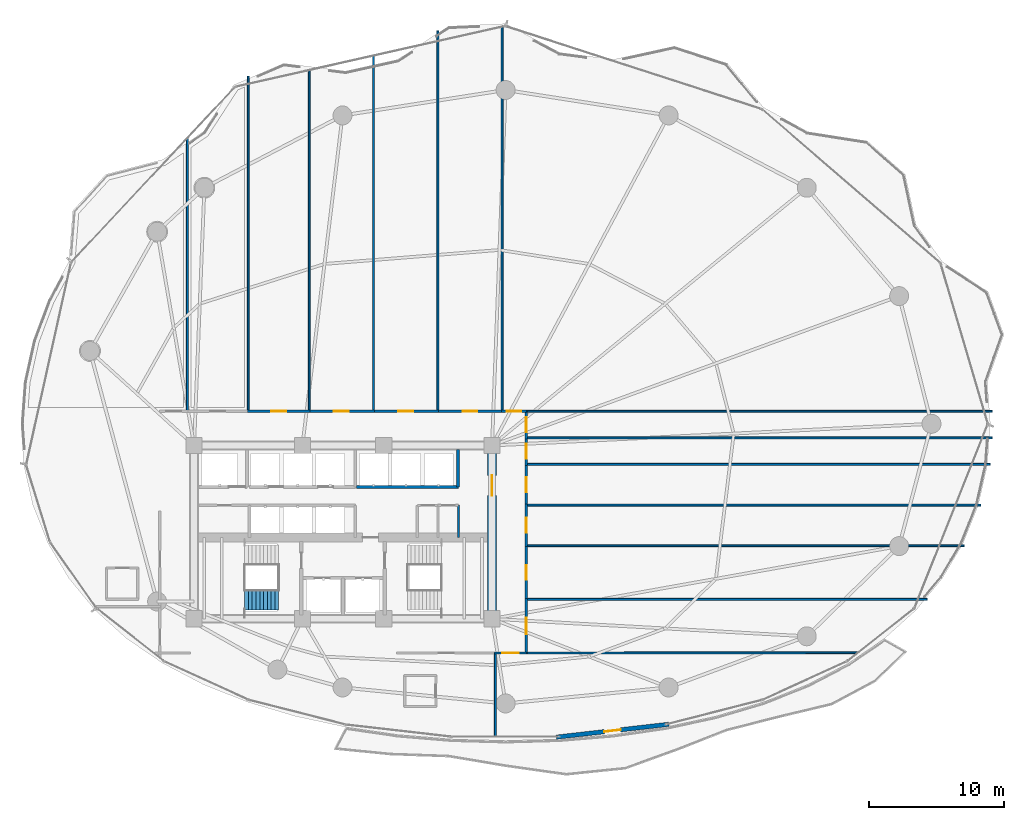
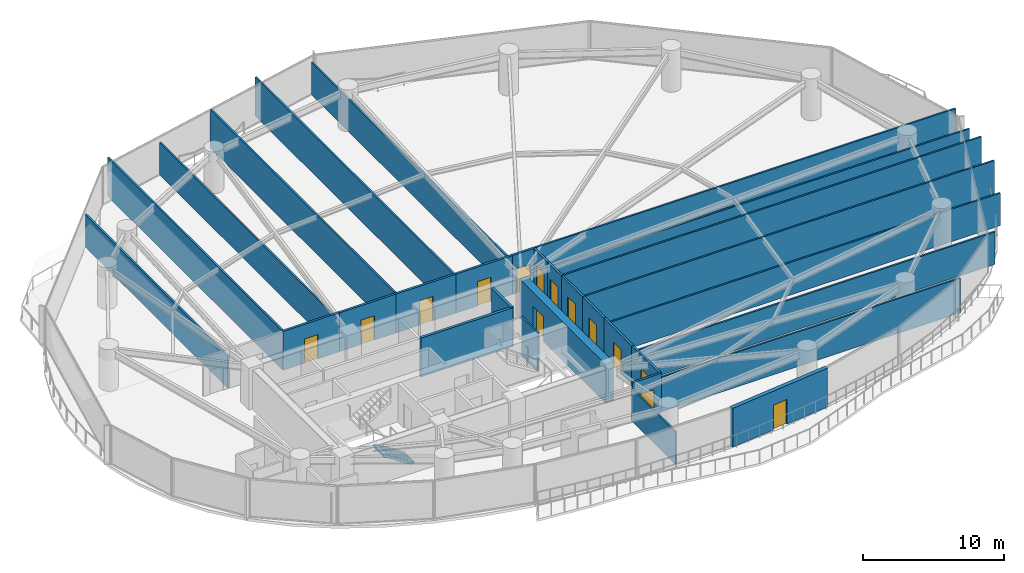
# One storey, part 27 of 33: 31 walls, 14 doors, 1 stair flight, 14 openings, 1 element without a shape of its own.
"""IFC4 building model written with IfcOpenShell, lengths in metres."""

from ifc_helpers import new_model, si_unit, direction, frame, frame_2d, origin, place, context, subcontext, project, spatial, polyline, rectangle, outline, extrude, material, layer, layer_set, type_object, element, fill, aggregate, save


model = new_model("IFC4")

# Units and contexts
model_context = context("Model", 3, precision=1e-05, world=origin(), true_north=direction((0.0, 1.0)))
body_context = subcontext(model_context, "Body", "Model", "MODEL_VIEW")
ifc_project = project(units=[si_unit("LENGTHUNIT", "METRE"), si_unit("AREAUNIT", "SQUARE_METRE"), si_unit("VOLUMEUNIT", "CUBIC_METRE"), si_unit("PLANEANGLEUNIT", "RADIAN"), si_unit("MASSUNIT", "GRAM", prefix="KILO")], contexts=[model_context])

# Site, building, storey
site_placement = place(None, origin())
site = spatial("IfcSite", under=ifc_project, at=site_placement, CompositionType="ELEMENT")
building_placement = place(site_placement, origin())
building = spatial("IfcBuilding", under=site, at=building_placement, Name="Kazevale Care Tower and Concert Hall", CompositionType="ELEMENT")
storey_placement = place(building_placement, frame((0.0, 0.0, 49.199951171875)))
storey = spatial("IfcBuildingStorey", under=building, at=storey_placement, Name="L12", CompositionType="ELEMENT", Elevation=49.199951171875)

# Walls
ifc_material_1 = material(Name="Acoustic Gypsum on Steel Stud", Category="steel")
ifc_layer_1 = layer(ifc_material_1, 0.139892578125)
ifc_layer_set_1 = layer_set([ifc_layer_1], Name="Acoustic Gypsum on Steel Stud")
wall_type_1 = type_object("IfcWallType", Name="Acoustic Care & Suite Partition 140", PredefinedType="PARTITIONING", material=ifc_layer_set_1)
wall_1_placement = place(storey_placement, frame((41.52001953125, 29.6201171875, 0.0), z_axis=(0.0, 0.0, 1.0), x_axis=(0.0, 1.0, 0.0)))
element("IfcWall", 1, at=wall_1_placement, inside=storey, type_object=wall_type_1, Name="wall:L12:ka_ee", PredefinedType="PARTITIONING", context=body_context, shape_type="SweptSolid", body=[
    extrude(rectangle(XDim=2.35986328125, YDim=0.139892578125, at=frame_2d((1.179931640625, 0.0))), origin(), (0.0, 0.0, 1.0), 3.360107421875),
])
wall_2_placement = place(storey_placement, frame((21.5, 59.085205078125, 0.0), z_axis=(0.0, 0.0, 1.0), x_axis=(0.0, -1.0, 0.0)))
element("IfcWall", 2, at=wall_2_placement, inside=storey, type_object=wall_type_1, Name="wall:L12:auto_019", PredefinedType="PARTITIONING", context=body_context, shape_type="SweptSolid", body=[
    extrude(rectangle(XDim=20.190185546875, YDim=0.139892578125, at=frame_2d((10.09521484375, 0.0))), origin(), (0.0, 0.0, 1.0), 2.80615234375),
])
wall_3_placement = place(storey_placement, frame((26.0, 63.674072265625, 0.0), z_axis=(0.0, 0.0, 1.0), x_axis=(0.0, -1.0, 0.0)))
element("IfcWall", 3, at=wall_3_placement, inside=storey, type_object=wall_type_1, Name="wall:L12:auto_020", PredefinedType="PARTITIONING", context=body_context, shape_type="SweptSolid", body=[
    extrude(rectangle(XDim=24.779052734375, YDim=0.139892578125, at=frame_2d((12.3896484375, 0.0))), origin(), (0.0, 0.0, 1.0), 3.360107421875),
])
wall_4_placement = place(storey_placement, frame((30.5, 64.098388671875, 0.0), z_axis=(0.0, 0.0, 1.0), x_axis=(0.0, -1.0, 0.0)))
element("IfcWall", 4, at=wall_4_placement, inside=storey, type_object=wall_type_1, Name="wall:L12:auto_021", PredefinedType="PARTITIONING", context=body_context, shape_type="SweptSolid", body=[
    extrude(rectangle(XDim=25.203369140625, YDim=0.139892578125, at=frame_2d((12.6015625, 0.0))), origin(), (0.0, 0.0, 1.0), 2.80615234375),
])
wall_5_placement = place(storey_placement, frame((35.25, 65.169189453125, 0.0), z_axis=(0.0, 0.0, 1.0), x_axis=(0.0, -1.0, 0.0)))
element("IfcWall", 5, at=wall_5_placement, inside=storey, type_object=wall_type_1, Name="wall:L12:auto_022", PredefinedType="PARTITIONING", context=body_context, shape_type="SweptSolid", body=[
    extrude(rectangle(XDim=26.274169921875, YDim=0.139892578125, at=frame_2d((13.13720703125, 0.0))), origin(), (0.0, 0.0, 1.0), 3.360107421875),
])
wall_6_placement = place(storey_placement, frame((40.0, 67.02099609375, 0.0), z_axis=(0.0, 0.0, 1.0), x_axis=(0.0, -1.0, 0.0)))
element("IfcWall", 6, at=wall_6_placement, inside=storey, type_object=wall_type_1, Name="wall:L12:auto_023", PredefinedType="PARTITIONING", context=body_context, shape_type="SweptSolid", body=[
    extrude(rectangle(XDim=28.1259765625, YDim=0.139892578125, at=frame_2d((14.06298828125, 0.0))), origin(), (0.0, 0.0, 1.0), 3.360107421875),
])
wall_7_placement = place(storey_placement, frame((44.75, 67.310791015625, 0.0), z_axis=(0.0, 0.0, 1.0), x_axis=(0.0, -1.0, 0.0)))
element("IfcWall", 7, at=wall_7_placement, inside=storey, type_object=wall_type_1, Name="wall:L12:auto_024", PredefinedType="PARTITIONING", context=body_context, shape_type="SweptSolid", body=[
    extrude(rectangle(XDim=28.415771484375, YDim=0.139892578125, at=frame_2d((14.2080078125, 0.0))), origin(), (0.0, 0.0, 1.0), 2.80615234375),
])
wall_8_placement = place(storey_placement, frame((80.931884765625, 38.925048828125, 0.0), z_axis=(0.0, 0.0, 1.0), x_axis=(-1.0, 0.0, 0.0)))
element("IfcWall", 8, at=wall_8_placement, inside=storey, type_object=wall_type_1, Name="wall:L12:auto_025", PredefinedType="PARTITIONING", context=body_context, shape_type="SweptSolid", body=[
    extrude(rectangle(XDim=34.471923828125, YDim=0.139892578125, at=frame_2d((17.23583984375, 0.0))), origin(), (0.0, 0.0, 1.0), 3.360107421875),
])
wall_9_placement = place(storey_placement, frame((46.4951171875, 25.0400390625, 0.0), z_axis=(0.0, 0.0, 1.0), x_axis=(1.0, 0.0, 0.0)))
element("IfcWall", 9, at=wall_9_placement, inside=storey, type_object=wall_type_1, Name="wall:L12:auto_026", PredefinedType="PARTITIONING", context=body_context, shape_type="SweptSolid", body=[
    extrude(rectangle(XDim=29.625, YDim=0.139892578125, at=frame_2d((14.8125, 0.0))), origin(), (0.0, 0.0, 1.0), 2.80615234375),
])
wall_10_placement = place(storey_placement, frame((71.0107421875, 21.094482421875, 0.0), z_axis=(0.0, 0.0, 1.0), x_axis=(-0.999999682646, -0.000796685534, 0.0)))
element("IfcWall", 10, at=wall_10_placement, inside=storey, type_object=wall_type_1, Name="wall:L12:auto_027", PredefinedType="PARTITIONING", context=body_context, shape_type="SweptSolid", body=[
    extrude(rectangle(XDim=24.515625, YDim=0.139892578125, at=frame_2d((12.2578125, 0.0))), origin(), (0.0, 0.0, 1.0), 2.99609375),
])
wall_11_placement = place(storey_placement, frame((46.4951171875, 29.0, 0.0), z_axis=(0.0, 0.0, 1.0), x_axis=(1.0, 0.0, 0.0)))
element("IfcWall", 11, at=wall_11_placement, inside=storey, type_object=wall_type_1, Name="wall:L12:auto_028", PredefinedType="PARTITIONING", context=body_context, shape_type="SweptSolid", body=[
    extrude(rectangle(XDim=32.36083984375, YDim=0.139892578125, at=frame_2d((16.180419921875, 0.0))), origin(), (0.0, 0.0, 1.0), 2.80615234375),
])
wall_12_placement = place(storey_placement, frame((46.4951171875, 32.0, 0.0), z_axis=(0.0, 0.0, 1.0), x_axis=(1.0, 0.0, 0.0)))
element("IfcWall", 12, at=wall_12_placement, inside=storey, type_object=wall_type_1, Name="wall:L12:auto_029", PredefinedType="PARTITIONING", context=body_context, shape_type="SweptSolid", body=[
    extrude(rectangle(XDim=33.60498046875, YDim=0.139892578125, at=frame_2d((16.802490234375, 0.0))), origin(), (0.0, 0.0, 1.0), 3.360107421875),
])
wall_13_placement = place(storey_placement, frame((46.4951171875, 35.0, 0.0), z_axis=(0.0, 0.0, 1.0), x_axis=(1.0, 0.0, 0.0)))
element("IfcWall", 13, at=wall_13_placement, inside=storey, type_object=wall_type_1, Name="wall:L12:auto_030", PredefinedType="PARTITIONING", context=body_context, shape_type="SweptSolid", body=[
    extrude(rectangle(XDim=34.283935546875, YDim=0.139892578125, at=frame_2d((17.14208984375, 0.0))), origin(), (0.0, 0.0, 1.0), 3.360107421875),
])
wall_14_placement = place(storey_placement, frame((46.4951171875, 36.9599609375, 0.0), z_axis=(0.0, 0.0, 1.0), x_axis=(1.0, 0.0, 0.0)))
element("IfcWall", 14, at=wall_14_placement, inside=storey, type_object=wall_type_1, Name="wall:L12:auto_031", PredefinedType="PARTITIONING", context=body_context, shape_type="SweptSolid", body=[
    extrude(rectangle(XDim=34.427978515625, YDim=0.139892578125, at=frame_2d((17.2138671875, 0.0))), origin(), (0.0, 0.0, 1.0), 2.80615234375),
])
wall_15_placement = place(storey_placement, frame((44.25, 21.10498046875, 0.0), z_axis=(0.0, 0.0, 1.0), x_axis=(0.0, -1.0, 0.0)))
element("IfcWall", 15, at=wall_15_placement, inside=storey, type_object=wall_type_1, Name="wall:L12:auto_032", PredefinedType="PARTITIONING", context=body_context, shape_type="SweptSolid", body=[
    extrude(rectangle(XDim=6.205078125, YDim=0.139892578125, at=frame_2d((3.1025390625, 0.0))), origin(), (0.0, 0.0, 1.0), 2.80615234375),
])

# Wall, opening, door
ifc_material_2 = material(Name="Concrete C70", Category="concrete")
ifc_layer_2 = layer(ifc_material_2, 0.64990234375)
ifc_layer_set_2 = layer_set([ifc_layer_2], Name="Concrete C70")
wall_type_2 = type_object("IfcWallType", Name="Core Shear Wall 650 C70", PredefinedType="SHEAR", material=ifc_layer_set_2)
wall_16_placement = place(storey_placement, frame((44.0, 23.925048828125, 0.0), z_axis=(0.0, 0.0, 1.0), x_axis=(0.0, 1.0, 0.0)))
wall_16 = element("IfcWall", 16, at=wall_16_placement, inside=storey, type_object=wall_type_2, Name="wall:L12:core:E", PredefinedType="SHEAR", context=body_context, shape_type="SweptSolid", body=[
    extrude(rectangle(XDim=12.14990234375, YDim=0.64990234375, at=frame_2d((6.074951171875, 0.0))), origin(), (0.0, 0.0, 1.0), 3.360107421875),
])
opening_1_placement = place(wall_16_placement, frame((8.77490234375, 0.0, 0.0)))
opening_1 = element("IfcOpeningElement", 17, at=opening_1_placement, cuts=wall_16, Name="Opening FD-60D", PredefinedType="OPENING", context=body_context, shape_type="SweptSolid", body=[
    extrude(rectangle(XDim=1.5, YDim=2.14990234375, at=frame_2d((0.75, 1.074951171875))), frame((0.0, 0.3349609375, 0.0), z_axis=(0.0, -1.0, 0.0), x_axis=(1.0, 0.0, 0.0)), (0.0, 0.0, 1.0), 0.669921875),
])
ifc_material_3 = material(Name="Oak Timber Fire Leaf", Category="wood")
door_type_1 = type_object("IfcDoorType", Name="Double Lobby & Auditorium Fire Door 1500x2150", OperationType="NOTDEFINED", PredefinedType="DOOR", material=ifc_material_3)
door_1_placement = place(opening_1_placement, origin())
door_1 = element("IfcDoor", 18, at=door_1_placement, inside=storey, type_object=door_type_1, Name="door:L12:core_east_out", OperationType="DOUBLE_DOOR_SINGLE_SWING", OverallHeight=2.14990234375, OverallWidth=1.5, PredefinedType="DOOR", context=body_context, shape_type="SweptSolid", body=[
    extrude(rectangle(XDim=1.5, YDim=2.14990234375, at=frame_2d((0.75, 1.074951171875))), frame((0.0, 0.02490234375, 0.0), z_axis=(0.0, -1.0, 0.0), x_axis=(1.0, 0.0, 0.0)), (0.0, 0.0, 1.0), 0.050048828125),
])
fill(opening_1, door_1)

# Walls
ifc_material_4 = material(Name="Concrete C40", Category="concrete")
ifc_layer_3 = layer(ifc_material_4, 0.219970703125)
ifc_layer_set_3 = layer_set([ifc_layer_3], Name="Concrete C40")
wall_type_3 = type_object("IfcWallType", Name="Elevator Hoistway Shaft Wall 220", PredefinedType="SOLIDWALL", material=ifc_layer_set_3)
wall_17_placement = place(storey_placement, frame((33.97998046875, 33.35009765625, 0.0), z_axis=(0.0, 0.0, 1.0), x_axis=(1.0, 0.0, 0.0)))
element("IfcWall", 19, at=wall_17_placement, inside=storey, type_object=wall_type_3, Name="wall:L12:c_pm_s", PredefinedType="SOLIDWALL", context=body_context, shape_type="SweptSolid", body=[
    extrude(rectangle(XDim=7.5400390625, YDim=0.219970703125, at=frame_2d((3.77001953125, 0.0))), origin(), (0.0, 0.0, 1.0), 3.360107421875),
])
wall_18_placement = place(storey_placement, frame((41.5, 33.35009765625, 0.0), z_axis=(0.0, 0.0, 1.0), x_axis=(0.0, 1.0, 0.0)))
element("IfcWall", 20, at=wall_18_placement, inside=storey, type_object=wall_type_3, Name="wall:L12:c_pm_e", PredefinedType="SOLIDWALL", context=body_context, shape_type="SweptSolid", body=[
    extrude(rectangle(XDim=2.75, YDim=0.219970703125, at=frame_2d((1.375, 0.0))), origin(), (0.0, 0.0, 1.0), 3.360107421875),
])

# Wall, opening, door
ifc_material_5 = material(Name="Concrete C40 and Acoustic Gypsum", Category="concrete")
ifc_layer_4 = layer(ifc_material_5, 0.179931640625)
ifc_layer_set_4 = layer_set([ifc_layer_4], Name="Concrete C40 and Acoustic Gypsum")
wall_type_4 = type_object("IfcWallType", Name="Fire-Rated Corridor & Party Wall 180", PredefinedType="PARTITIONING", material=ifc_layer_set_4)
wall_19_placement = place(storey_placement, frame((25.93505859375, 38.925048828125, 0.0), z_axis=(0.0, 0.0, 1.0), x_axis=(1.0, 0.0, 0.0)))
wall_19 = element("IfcWall", 21, at=wall_19_placement, inside=storey, type_object=wall_type_4, Name="wall:L12:auto_003", PredefinedType="PARTITIONING", context=body_context, shape_type="SweptSolid", body=[
    extrude(rectangle(XDim=4.6298828125, YDim=0.179931640625, at=frame_2d((2.31494140625, 0.0))), origin(), (0.0, 0.0, 1.0), 3.360107421875),
])
opening_2_placement = place(wall_19_placement, frame((1.764892578125, 0.0, 0.0)))
opening_2 = element("IfcOpeningElement", 22, at=opening_2_placement, cuts=wall_19, Name="Opening ID-1100", PredefinedType="OPENING", context=body_context, shape_type="SweptSolid", body=[
    extrude(rectangle(XDim=1.10009765625, YDim=2.10009765625, at=frame_2d((0.550048828125, 1.050048828125))), frame((0.0, 0.099853515625, 0.0), z_axis=(0.0, -1.0, 0.0), x_axis=(1.0, 0.0, 0.0)), (0.0, 0.0, 1.0), 0.199951171875),
])
door_type_2 = type_object("IfcDoorType", Name="Care Bedroom Accessible Door 1100x2100", OperationType="NOTDEFINED", PredefinedType="DOOR", material=ifc_material_3)
door_2_placement = place(opening_2_placement, origin())
door_2 = element("IfcDoor", 23, at=door_2_placement, inside=storey, type_object=door_type_2, Name="door:L12:ad_003", OperationType="SINGLE_SWING_LEFT", OverallHeight=2.10009765625, OverallWidth=1.10009765625, PredefinedType="DOOR", context=body_context, shape_type="SweptSolid", body=[
    extrude(rectangle(XDim=1.10009765625, YDim=2.10009765625, at=frame_2d((0.550048828125, 1.050048828125))), frame((0.0, 0.02490234375, 0.0), z_axis=(0.0, -1.0, 0.0), x_axis=(1.0, 0.0, 0.0)), (0.0, 0.0, 1.0), 0.050048828125),
])
fill(opening_2, door_2)

wall_20_placement = place(storey_placement, frame((30.43505859375, 38.925048828125, 0.0), z_axis=(0.0, 0.0, 1.0), x_axis=(1.0, 0.0, 0.0)))
wall_20 = element("IfcWall", 24, at=wall_20_placement, inside=storey, type_object=wall_type_4, Name="wall:L12:auto_004", PredefinedType="PARTITIONING", context=body_context, shape_type="SweptSolid", body=[
    extrude(rectangle(XDim=4.8798828125, YDim=0.179931640625, at=frame_2d((2.43994140625, 0.0))), origin(), (0.0, 0.0, 1.0), 3.360107421875),
])
opening_3_placement = place(wall_20_placement, frame((1.889892578125, 0.0, 0.0)))
opening_3 = element("IfcOpeningElement", 25, at=opening_3_placement, cuts=wall_20, Name="Opening ID-1100", PredefinedType="OPENING", context=body_context, shape_type="SweptSolid", body=[
    extrude(rectangle(XDim=1.10009765625, YDim=2.10009765625, at=frame_2d((0.550048828125, 1.050048828125))), frame((0.0, 0.099853515625, 0.0), z_axis=(0.0, -1.0, 0.0), x_axis=(1.0, 0.0, 0.0)), (0.0, 0.0, 1.0), 0.199951171875),
])
door_3_placement = place(opening_3_placement, origin())
door_3 = element("IfcDoor", 26, at=door_3_placement, inside=storey, type_object=door_type_2, Name="door:L12:ad_004", OperationType="SINGLE_SWING_LEFT", OverallHeight=2.10009765625, OverallWidth=1.10009765625, PredefinedType="DOOR", context=body_context, shape_type="SweptSolid", body=[
    extrude(rectangle(XDim=1.10009765625, YDim=2.10009765625, at=frame_2d((0.550048828125, 1.050048828125))), frame((0.0, 0.02490234375, 0.0), z_axis=(0.0, -1.0, 0.0), x_axis=(1.0, 0.0, 0.0)), (0.0, 0.0, 1.0), 0.050048828125),
])
fill(opening_3, door_3)

wall_21_placement = place(storey_placement, frame((35.18505859375, 38.925048828125, 0.0), z_axis=(0.0, 0.0, 1.0), x_axis=(1.0, 0.0, 0.0)))
wall_21 = element("IfcWall", 27, at=wall_21_placement, inside=storey, type_object=wall_type_4, Name="wall:L12:auto_005", PredefinedType="PARTITIONING", context=body_context, shape_type="SweptSolid", body=[
    extrude(rectangle(XDim=4.8798828125, YDim=0.179931640625, at=frame_2d((2.43994140625, 0.0))), origin(), (0.0, 0.0, 1.0), 3.360107421875),
])
opening_4_placement = place(wall_21_placement, frame((1.889892578125, 0.0, 0.0)))
opening_4 = element("IfcOpeningElement", 28, at=opening_4_placement, cuts=wall_21, Name="Opening ID-1100", PredefinedType="OPENING", context=body_context, shape_type="SweptSolid", body=[
    extrude(rectangle(XDim=1.10009765625, YDim=2.10009765625, at=frame_2d((0.550048828125, 1.050048828125))), frame((0.0, 0.099853515625, 0.0), z_axis=(0.0, -1.0, 0.0), x_axis=(1.0, 0.0, 0.0)), (0.0, 0.0, 1.0), 0.199951171875),
])
door_4_placement = place(opening_4_placement, origin())
door_4 = element("IfcDoor", 29, at=door_4_placement, inside=storey, type_object=door_type_2, Name="door:L12:ad_005", OperationType="SINGLE_SWING_LEFT", OverallHeight=2.10009765625, OverallWidth=1.10009765625, PredefinedType="DOOR", context=body_context, shape_type="SweptSolid", body=[
    extrude(rectangle(XDim=1.10009765625, YDim=2.10009765625, at=frame_2d((0.550048828125, 1.050048828125))), frame((0.0, 0.02490234375, 0.0), z_axis=(0.0, -1.0, 0.0), x_axis=(1.0, 0.0, 0.0)), (0.0, 0.0, 1.0), 0.050048828125),
])
fill(opening_4, door_4)

wall_22_placement = place(storey_placement, frame((39.93505859375, 38.925048828125, 0.0), z_axis=(0.0, 0.0, 1.0), x_axis=(1.0, 0.0, 0.0)))
wall_22 = element("IfcWall", 30, at=wall_22_placement, inside=storey, type_object=wall_type_4, Name="wall:L12:auto_006", PredefinedType="PARTITIONING", context=body_context, shape_type="SweptSolid", body=[
    extrude(rectangle(XDim=4.8798828125, YDim=0.179931640625, at=frame_2d((2.43994140625, 0.0))), origin(), (0.0, 0.0, 1.0), 3.360107421875),
])
opening_5_placement = place(wall_22_placement, frame((1.889892578125, 0.0, 0.0)))
opening_5 = element("IfcOpeningElement", 31, at=opening_5_placement, cuts=wall_22, Name="Opening ID-1100", PredefinedType="OPENING", context=body_context, shape_type="SweptSolid", body=[
    extrude(rectangle(XDim=1.10009765625, YDim=2.10009765625, at=frame_2d((0.550048828125, 1.050048828125))), frame((0.0, 0.099853515625, 0.0), z_axis=(0.0, -1.0, 0.0), x_axis=(1.0, 0.0, 0.0)), (0.0, 0.0, 1.0), 0.199951171875),
])
door_5_placement = place(opening_5_placement, origin())
door_5 = element("IfcDoor", 32, at=door_5_placement, inside=storey, type_object=door_type_2, Name="door:L12:ad_006", OperationType="SINGLE_SWING_LEFT", OverallHeight=2.10009765625, OverallWidth=1.10009765625, PredefinedType="DOOR", context=body_context, shape_type="SweptSolid", body=[
    extrude(rectangle(XDim=1.10009765625, YDim=2.10009765625, at=frame_2d((0.550048828125, 1.050048828125))), frame((0.0, 0.02490234375, 0.0), z_axis=(0.0, -1.0, 0.0), x_axis=(1.0, 0.0, 0.0)), (0.0, 0.0, 1.0), 0.050048828125),
])
fill(opening_5, door_5)

wall_23_placement = place(storey_placement, frame((44.68505859375, 38.925048828125, 0.0), z_axis=(0.0, 0.0, 1.0), x_axis=(1.0, 0.0, 0.0)))
wall_23 = element("IfcWall", 33, at=wall_23_placement, inside=storey, type_object=wall_type_4, Name="wall:L12:auto_007", PredefinedType="PARTITIONING", context=body_context, shape_type="SweptSolid", body=[
    extrude(rectangle(XDim=1.869873046875, YDim=0.179931640625, at=frame_2d((0.93505859375, 0.0))), origin(), (0.0, 0.0, 1.0), 3.360107421875),
])
opening_6_placement = place(wall_23_placement, frame((0.385009765625, 0.0, 0.0)))
opening_6 = element("IfcOpeningElement", 34, at=opening_6_placement, cuts=wall_23, Name="Opening ID-1100", PredefinedType="OPENING", context=body_context, shape_type="SweptSolid", body=[
    extrude(rectangle(XDim=1.10009765625, YDim=2.10009765625, at=frame_2d((0.550048828125, 1.050048828125))), frame((0.0, 0.099853515625, 0.0), z_axis=(0.0, -1.0, 0.0), x_axis=(1.0, 0.0, 0.0)), (0.0, 0.0, 1.0), 0.199951171875),
])
door_6_placement = place(opening_6_placement, origin())
door_6 = element("IfcDoor", 35, at=door_6_placement, inside=storey, type_object=door_type_2, Name="door:L12:ad_007", OperationType="SINGLE_SWING_LEFT", OverallHeight=2.10009765625, OverallWidth=1.10009765625, PredefinedType="DOOR", context=body_context, shape_type="SweptSolid", body=[
    extrude(rectangle(XDim=1.10009765625, YDim=2.10009765625, at=frame_2d((0.550048828125, 1.050048828125))), frame((0.0, 0.02490234375, 0.0), z_axis=(0.0, -1.0, 0.0), x_axis=(1.0, 0.0, 0.0)), (0.0, 0.0, 1.0), 0.050048828125),
])
fill(opening_6, door_6)

wall_24_placement = place(storey_placement, frame((46.52490234375, 25.10498046875, 0.0), z_axis=(0.0, 0.0, 1.0), x_axis=(0.0, -1.0, 0.0)))
wall_24 = element("IfcWall", 36, at=wall_24_placement, inside=storey, type_object=wall_type_4, Name="wall:L12:auto_008", PredefinedType="PARTITIONING", context=body_context, shape_type="SweptSolid", body=[
    extrude(rectangle(XDim=4.06005859375, YDim=0.179931640625, at=frame_2d((2.030029296875, 0.0))), origin(), (0.0, 0.0, 1.0), 3.360107421875),
])
opening_7_placement = place(wall_24_placement, frame((1.429931640625, 0.0, 0.0)))
opening_7 = element("IfcOpeningElement", 37, at=opening_7_placement, cuts=wall_24, Name="Opening ID-1200", PredefinedType="OPENING", context=body_context, shape_type="SweptSolid", body=[
    extrude(rectangle(XDim=1.199951171875, YDim=2.14990234375, at=frame_2d((0.60009765625, 1.074951171875))), frame((0.0, 0.099853515625, 0.0), z_axis=(0.0, -1.0, 0.0), x_axis=(1.0, 0.0, 0.0)), (0.0, 0.0, 1.0), 0.199951171875),
])
door_type_3 = type_object("IfcDoorType", Name="Clinical & Therapy Door 1200x2150", OperationType="NOTDEFINED", PredefinedType="DOOR", material=ifc_material_3)
door_7_placement = place(opening_7_placement, origin())
door_7 = element("IfcDoor", 38, at=door_7_placement, inside=storey, type_object=door_type_3, Name="door:L12:ad_008", OperationType="SINGLE_SWING_LEFT", OverallHeight=2.14990234375, OverallWidth=1.199951171875, PredefinedType="DOOR", context=body_context, shape_type="SweptSolid", body=[
    extrude(rectangle(XDim=1.199951171875, YDim=2.14990234375, at=frame_2d((0.60009765625, 1.074951171875))), frame((0.0, 0.02490234375, 0.0), z_axis=(0.0, -1.0, 0.0), x_axis=(1.0, 0.0, 0.0)), (0.0, 0.0, 1.0), 0.050048828125),
])
fill(opening_7, door_7)

wall_25_placement = place(storey_placement, frame((46.52490234375, 29.06494140625, 0.0), z_axis=(0.0, 0.0, 1.0), x_axis=(0.0, -1.0, 0.0)))
wall_25 = element("IfcWall", 39, at=wall_25_placement, inside=storey, type_object=wall_type_4, Name="wall:L12:auto_009", PredefinedType="PARTITIONING", context=body_context, shape_type="SweptSolid", body=[
    extrude(rectangle(XDim=4.08984375, YDim=0.179931640625, at=frame_2d((2.044921875, 0.0))), origin(), (0.0, 0.0, 1.0), 3.360107421875),
])
opening_8_placement = place(wall_25_placement, frame((1.4951171875, 0.0, 0.0)))
opening_8 = element("IfcOpeningElement", 40, at=opening_8_placement, cuts=wall_25, Name="Opening ID-1100", PredefinedType="OPENING", context=body_context, shape_type="SweptSolid", body=[
    extrude(rectangle(XDim=1.10009765625, YDim=2.10009765625, at=frame_2d((0.550048828125, 1.050048828125))), frame((0.0, 0.099853515625, 0.0), z_axis=(0.0, -1.0, 0.0), x_axis=(1.0, 0.0, 0.0)), (0.0, 0.0, 1.0), 0.199951171875),
])
door_8_placement = place(opening_8_placement, origin())
door_8 = element("IfcDoor", 41, at=door_8_placement, inside=storey, type_object=door_type_2, Name="door:L12:ad_009", OperationType="SINGLE_SWING_LEFT", OverallHeight=2.10009765625, OverallWidth=1.10009765625, PredefinedType="DOOR", context=body_context, shape_type="SweptSolid", body=[
    extrude(rectangle(XDim=1.10009765625, YDim=2.10009765625, at=frame_2d((0.550048828125, 1.050048828125))), frame((0.0, 0.02490234375, 0.0), z_axis=(0.0, -1.0, 0.0), x_axis=(1.0, 0.0, 0.0)), (0.0, 0.0, 1.0), 0.050048828125),
])
fill(opening_8, door_8)

wall_26_placement = place(storey_placement, frame((46.52490234375, 32.06494140625, 0.0), z_axis=(0.0, 0.0, 1.0), x_axis=(0.0, -1.0, 0.0)))
wall_26 = element("IfcWall", 42, at=wall_26_placement, inside=storey, type_object=wall_type_4, Name="wall:L12:auto_010", PredefinedType="PARTITIONING", context=body_context, shape_type="SweptSolid", body=[
    extrude(rectangle(XDim=3.1298828125, YDim=0.179931640625, at=frame_2d((1.56494140625, 0.0))), origin(), (0.0, 0.0, 1.0), 3.360107421875),
])
opening_9_placement = place(wall_26_placement, frame((1.014892578125, 0.0, 0.0)))
opening_9 = element("IfcOpeningElement", 43, at=opening_9_placement, cuts=wall_26, Name="Opening ID-1100", PredefinedType="OPENING", context=body_context, shape_type="SweptSolid", body=[
    extrude(rectangle(XDim=1.10009765625, YDim=2.10009765625, at=frame_2d((0.550048828125, 1.050048828125))), frame((0.0, 0.099853515625, 0.0), z_axis=(0.0, -1.0, 0.0), x_axis=(1.0, 0.0, 0.0)), (0.0, 0.0, 1.0), 0.199951171875),
])
door_9_placement = place(opening_9_placement, origin())
door_9 = element("IfcDoor", 44, at=door_9_placement, inside=storey, type_object=door_type_2, Name="door:L12:ad_010", OperationType="SINGLE_SWING_LEFT", OverallHeight=2.10009765625, OverallWidth=1.10009765625, PredefinedType="DOOR", context=body_context, shape_type="SweptSolid", body=[
    extrude(rectangle(XDim=1.10009765625, YDim=2.10009765625, at=frame_2d((0.550048828125, 1.050048828125))), frame((0.0, 0.02490234375, 0.0), z_axis=(0.0, -1.0, 0.0), x_axis=(1.0, 0.0, 0.0)), (0.0, 0.0, 1.0), 0.050048828125),
])
fill(opening_9, door_9)

wall_27_placement = place(storey_placement, frame((46.52490234375, 35.06494140625, 0.0), z_axis=(0.0, 0.0, 1.0), x_axis=(0.0, -1.0, 0.0)))
wall_27 = element("IfcWall", 45, at=wall_27_placement, inside=storey, type_object=wall_type_4, Name="wall:L12:auto_011", PredefinedType="PARTITIONING", context=body_context, shape_type="SweptSolid", body=[
    extrude(rectangle(XDim=3.1298828125, YDim=0.179931640625, at=frame_2d((1.56494140625, 0.0))), origin(), (0.0, 0.0, 1.0), 3.360107421875),
])
opening_10_placement = place(wall_27_placement, frame((1.014892578125, 0.0, 0.0)))
opening_10 = element("IfcOpeningElement", 46, at=opening_10_placement, cuts=wall_27, Name="Opening ID-1100", PredefinedType="OPENING", context=body_context, shape_type="SweptSolid", body=[
    extrude(rectangle(XDim=1.10009765625, YDim=2.10009765625, at=frame_2d((0.550048828125, 1.050048828125))), frame((0.0, 0.099853515625, 0.0), z_axis=(0.0, -1.0, 0.0), x_axis=(1.0, 0.0, 0.0)), (0.0, 0.0, 1.0), 0.199951171875),
])
door_10_placement = place(opening_10_placement, origin())
door_10 = element("IfcDoor", 47, at=door_10_placement, inside=storey, type_object=door_type_2, Name="door:L12:ad_011", OperationType="SINGLE_SWING_LEFT", OverallHeight=2.10009765625, OverallWidth=1.10009765625, PredefinedType="DOOR", context=body_context, shape_type="SweptSolid", body=[
    extrude(rectangle(XDim=1.10009765625, YDim=2.10009765625, at=frame_2d((0.550048828125, 1.050048828125))), frame((0.0, 0.02490234375, 0.0), z_axis=(0.0, -1.0, 0.0), x_axis=(1.0, 0.0, 0.0)), (0.0, 0.0, 1.0), 0.050048828125),
])
fill(opening_10, door_10)

wall_28_placement = place(storey_placement, frame((46.52490234375, 37.02490234375, 0.0), z_axis=(0.0, 0.0, 1.0), x_axis=(0.0, -1.0, 0.0)))
wall_28 = element("IfcWall", 48, at=wall_28_placement, inside=storey, type_object=wall_type_4, Name="wall:L12:auto_012", PredefinedType="PARTITIONING", context=body_context, shape_type="SweptSolid", body=[
    extrude(rectangle(XDim=2.08984375, YDim=0.179931640625, at=frame_2d((1.044921875, 0.0))), origin(), (0.0, 0.0, 1.0), 3.360107421875),
])
opening_11_placement = place(wall_28_placement, frame((0.4951171875, 0.0, 0.0)))
opening_11 = element("IfcOpeningElement", 49, at=opening_11_placement, cuts=wall_28, Name="Opening ID-1100", PredefinedType="OPENING", context=body_context, shape_type="SweptSolid", body=[
    extrude(rectangle(XDim=1.10009765625, YDim=2.10009765625, at=frame_2d((0.550048828125, 1.050048828125))), frame((0.0, 0.099853515625, 0.0), z_axis=(0.0, -1.0, 0.0), x_axis=(1.0, 0.0, 0.0)), (0.0, 0.0, 1.0), 0.199951171875),
])
door_11_placement = place(opening_11_placement, origin())
door_11 = element("IfcDoor", 50, at=door_11_placement, inside=storey, type_object=door_type_2, Name="door:L12:ad_012", OperationType="SINGLE_SWING_LEFT", OverallHeight=2.10009765625, OverallWidth=1.10009765625, PredefinedType="DOOR", context=body_context, shape_type="SweptSolid", body=[
    extrude(rectangle(XDim=1.10009765625, YDim=2.10009765625, at=frame_2d((0.550048828125, 1.050048828125))), frame((0.0, 0.02490234375, 0.0), z_axis=(0.0, -1.0, 0.0), x_axis=(1.0, 0.0, 0.0)), (0.0, 0.0, 1.0), 0.050048828125),
])
fill(opening_11, door_11)

wall_29_placement = place(storey_placement, frame((46.52490234375, 38.955078125, 0.0), z_axis=(0.0, 0.0, 1.0), x_axis=(0.0, -1.0, 0.0)))
wall_29 = element("IfcWall", 51, at=wall_29_placement, inside=storey, type_object=wall_type_4, Name="wall:L12:auto_013", PredefinedType="PARTITIONING", context=body_context, shape_type="SweptSolid", body=[
    extrude(rectangle(XDim=2.06005859375, YDim=0.179931640625, at=frame_2d((1.030029296875, 0.0))), origin(), (0.0, 0.0, 1.0), 3.360107421875),
])
opening_12_placement = place(wall_29_placement, frame((0.47998046875, 0.0, 0.0)))
opening_12 = element("IfcOpeningElement", 52, at=opening_12_placement, cuts=wall_29, Name="Opening ID-1100", PredefinedType="OPENING", context=body_context, shape_type="SweptSolid", body=[
    extrude(rectangle(XDim=1.10009765625, YDim=2.10009765625, at=frame_2d((0.550048828125, 1.050048828125))), frame((0.0, 0.099853515625, 0.0), z_axis=(0.0, -1.0, 0.0), x_axis=(1.0, 0.0, 0.0)), (0.0, 0.0, 1.0), 0.199951171875),
])
door_12_placement = place(opening_12_placement, origin())
door_12 = element("IfcDoor", 53, at=door_12_placement, inside=storey, type_object=door_type_2, Name="door:L12:ad_013", OperationType="SINGLE_SWING_LEFT", OverallHeight=2.10009765625, OverallWidth=1.10009765625, PredefinedType="DOOR", context=body_context, shape_type="SweptSolid", body=[
    extrude(rectangle(XDim=1.10009765625, YDim=2.10009765625, at=frame_2d((0.550048828125, 1.050048828125))), frame((0.0, 0.02490234375, 0.0), z_axis=(0.0, -1.0, 0.0), x_axis=(1.0, 0.0, 0.0)), (0.0, 0.0, 1.0), 0.050048828125),
])
fill(opening_12, door_12)

wall_30_placement = place(storey_placement, frame((46.554931640625, 21.074951171875, 0.0), z_axis=(0.0, 0.0, 1.0), x_axis=(-1.0, 0.0, 0.0)))
wall_30 = element("IfcWall", 54, at=wall_30_placement, inside=storey, type_object=wall_type_4, Name="wall:L12:auto_015", PredefinedType="PARTITIONING", context=body_context, shape_type="SweptSolid", body=[
    extrude(rectangle(XDim=2.369873046875, YDim=0.179931640625, at=frame_2d((1.18505859375, 0.0))), origin(), (0.0, 0.0, 1.0), 3.360107421875),
])
opening_13_placement = place(wall_30_placement, frame((0.5849609375, 0.0, 0.0)))
opening_13 = element("IfcOpeningElement", 55, at=opening_13_placement, cuts=wall_30, Name="Opening ID-1200", PredefinedType="OPENING", context=body_context, shape_type="SweptSolid", body=[
    extrude(rectangle(XDim=1.199951171875, YDim=2.14990234375, at=frame_2d((0.60009765625, 1.074951171875))), frame((0.0, 0.099853515625, 0.0), z_axis=(0.0, -1.0, 0.0), x_axis=(1.0, 0.0, 0.0)), (0.0, 0.0, 1.0), 0.199951171875),
])
door_13_placement = place(opening_13_placement, origin())
door_13 = element("IfcDoor", 56, at=door_13_placement, inside=storey, type_object=door_type_3, Name="door:L12:ad_015", OperationType="SINGLE_SWING_LEFT", OverallHeight=2.14990234375, OverallWidth=1.199951171875, PredefinedType="DOOR", context=body_context, shape_type="SweptSolid", body=[
    extrude(rectangle(XDim=1.199951171875, YDim=2.14990234375, at=frame_2d((0.60009765625, 1.074951171875))), frame((0.0, 0.02490234375, 0.0), z_axis=(0.0, -1.0, 0.0), x_axis=(1.0, 0.0, 0.0)), (0.0, 0.0, 1.0), 0.050048828125),
])
fill(opening_13, door_13)

ifc_material_6 = material(Name="Concrete C40 with Honed Limestone Cladding", Category="masonry")
ifc_layer_5 = layer(ifc_material_6, 0.320068359375)
ifc_layer_set_5 = layer_set([ifc_layer_5], Name="Concrete C40 with Honed Limestone Cladding")
wall_type_5 = type_object("IfcWallType", Name="Tower Honed Limestone Spandrel Wall 320", PredefinedType="STANDARD", material=ifc_layer_set_5)
wall_31_placement = place(storey_placement, frame((57.050048828125, 15.81201171875, 0.0), z_axis=(0.0, 0.0, 1.0), x_axis=(-0.993503192468, -0.113804246649, 0.0)))
wall_31 = element("IfcWall", 57, at=wall_31_placement, inside=storey, type_object=wall_type_5, Name="wall:L12:bal_host", PredefinedType="STANDARD", context=body_context, shape_type="SweptSolid", body=[
    extrude(rectangle(XDim=8.364501953125, YDim=0.320068359375, at=frame_2d((4.18212890625, 0.0))), origin(), (0.0, 0.0, 1.0), 3.360107421875),
])
opening_14_placement = place(wall_31_placement, frame((3.58203125, 0.0, 0.0)))
opening_14 = element("IfcOpeningElement", 58, at=opening_14_placement, cuts=wall_31, Name="Opening BD-1200", PredefinedType="OPENING", context=body_context, shape_type="SweptSolid", body=[
    extrude(rectangle(XDim=1.199951171875, YDim=2.14990234375, at=frame_2d((0.60009765625, 1.074951171875))), frame((0.0, 0.169921875, 0.0), z_axis=(0.0, -1.0, 0.0), x_axis=(1.0, 0.0, 0.0)), (0.0, 0.0, 1.0), 0.340087890625),
])
ifc_material_7 = material(Name="Aluminium 6063-T6 and Low-E Glass", Category="aluminium")
door_type_4 = type_object("IfcDoorType", Name="Sheltered Balcony Glazed Door 1200x2150", OperationType="NOTDEFINED", PredefinedType="DOOR", material=ifc_material_7)
door_14_placement = place(opening_14_placement, origin())
door_14 = element("IfcDoor", 59, at=door_14_placement, inside=storey, type_object=door_type_4, Name="door:L12:BD-1", OperationType="SINGLE_SWING_LEFT", OverallHeight=2.14990234375, OverallWidth=1.199951171875, PredefinedType="DOOR", context=body_context, shape_type="SweptSolid", body=[
    extrude(rectangle(XDim=1.199951171875, YDim=2.14990234375, at=frame_2d((0.60009765625, 1.074951171875))), frame((0.0, 0.02490234375, 0.0), z_axis=(0.0, -1.0, 0.0), x_axis=(1.0, 0.0, 0.0)), (0.0, 0.0, 1.0), 0.050048828125),
])
fill(opening_14, door_14)

# Stair, stair flight
stair_type = type_object("IfcStairType", Name="Exit Stair Assembly ST1-Z1", PredefinedType="HALF_TURN_STAIR", material=ifc_material_4)
stair_placement = place(storey_placement, origin())
stair = element("IfcStair", 60, at=stair_placement, inside=storey, type_object=stair_type, Name="stair:L12:ST1", PredefinedType="HALF_TURN_STAIR")
ifc_layer_6 = layer(ifc_material_4, 0.159912109375)
ifc_layer_set_6 = layer_set([ifc_layer_6], Name="Concrete C40")
stair_flight_type = type_object("IfcStairFlightType", Name="Exit Stair Flight ST1-Z1", PredefinedType="STRAIGHT", material=ifc_layer_set_6)
stair_flight_placement = place(storey_placement, frame((28.25, 24.989990234375, 0.0), z_axis=(0.0, 0.0, 1.0), x_axis=(-1.0, 0.0, 0.0)))
stair_flight = element("IfcStairFlight", 61, at=stair_flight_placement, type_object=stair_flight_type, Name="ST1-Z1 flight 1", NumberOfRisers=10, NumberOfTreads=9, PredefinedType="STRAIGHT", RiserHeight=0.18, TreadLength=0.28, context=body_context, shape_type="SweptSolid", body=[
    extrude(outline(polyline([(0.0, 0.0), (0.0, 0.179931640625), (0.280029296875, 0.179931640625), (0.280029296875, 0.360107421875), (0.56005859375, 0.360107421875), (0.56005859375, 0.5400390625), (0.840087890625, 0.5400390625), (0.840087890625, 0.719970703125), (1.1201171875, 0.719970703125), (1.1201171875, 0.89990234375), (1.39990234375, 0.89990234375), (1.39990234375, 1.080078125), (1.679931640625, 1.080078125), (1.679931640625, 1.260009765625), (1.9599609375, 1.260009765625), (1.9599609375, 1.43994140625), (2.239990234375, 1.43994140625), (2.239990234375, 1.6201171875), (2.52001953125, 1.6201171875), (2.52001953125, 1.800048828125), (2.52001953125, 1.429931640625), (0.295654296875, 0.0), (0.0, 0.0)])), frame((0.0, 0.739990234375, 0.0), z_axis=(0.0, -1.0, 0.0), x_axis=(1.0, 0.0, 0.0)), (0.0, 0.0, 1.0), 1.47998046875),
])
aggregate(stair, [stair_flight])

save(model, "model.ifc")
